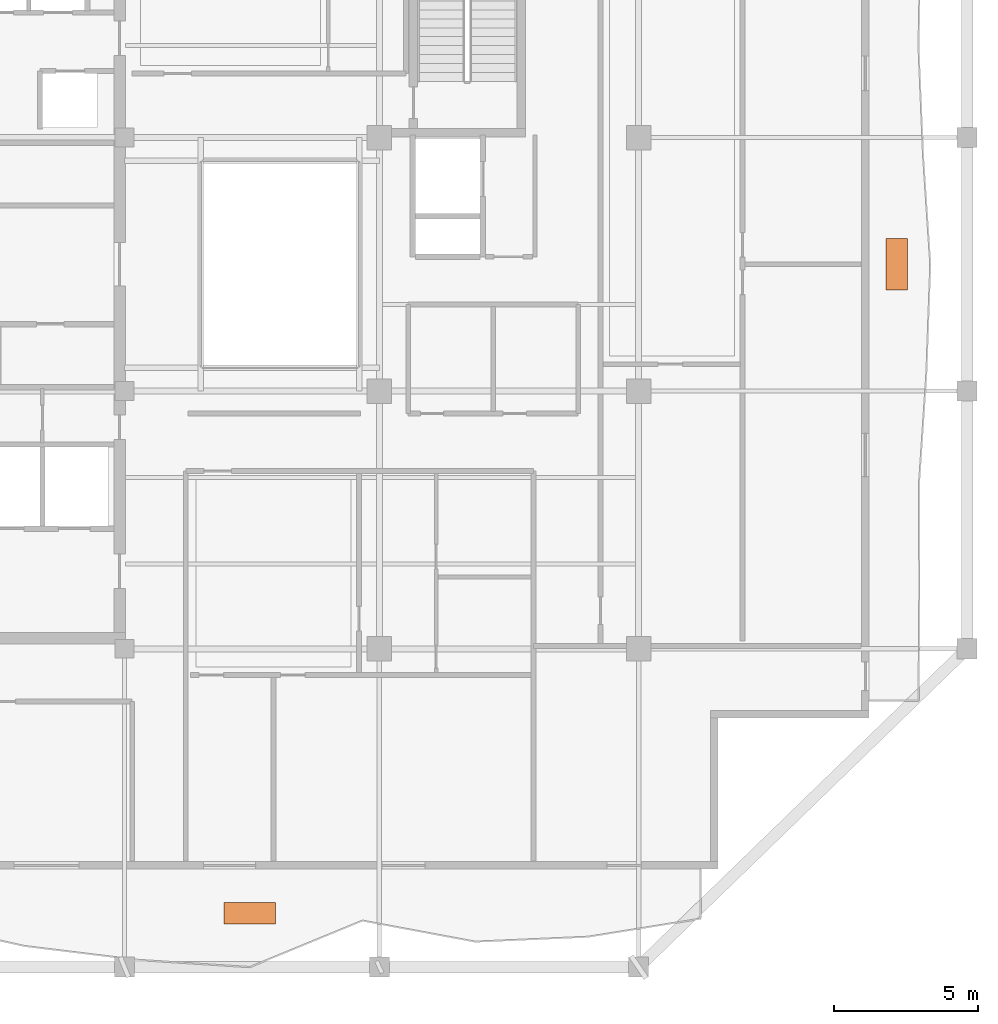
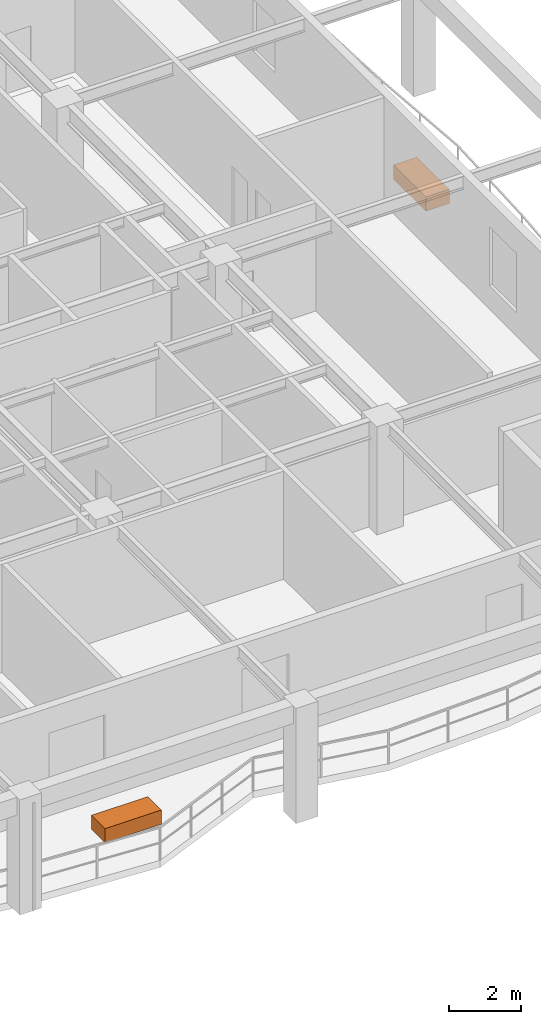
# One storey, part 11 of 11: 2 proxies.
"""IFC4 building model written with IfcOpenShell, lengths in metres."""

from ifc_helpers import new_model, si_unit, direction, frame, origin, origin_2d, place, context, subcontext, project, spatial, rectangle, extrude, material, type_object, element, save


model = new_model("IFC4")

# Units and contexts
model_context = context("Model", 3, precision=1e-05, world=origin(), true_north=direction((0.0, 1.0)))
body_context = subcontext(model_context, "Body", "Model", "MODEL_VIEW")
ifc_project = project(units=[si_unit("LENGTHUNIT", "METRE"), si_unit("AREAUNIT", "SQUARE_METRE"), si_unit("VOLUMEUNIT", "CUBIC_METRE"), si_unit("PLANEANGLEUNIT", "RADIAN"), si_unit("MASSUNIT", "GRAM", prefix="KILO")], contexts=[model_context])

# Site, building, storey
site_placement = place(None, origin())
site = spatial("IfcSite", under=ifc_project, at=site_placement, CompositionType="ELEMENT")
building_placement = place(site_placement, origin())
building = spatial("IfcBuilding", under=site, at=building_placement, Name="Kundavana Baori Tower", CompositionType="ELEMENT")
storey_placement = place(building_placement, frame((0.0, 0.0, 249.199951171875)))
storey = spatial("IfcBuildingStorey", under=building, at=storey_placement, Name="L61", CompositionType="ELEMENT", Elevation=249.199951171875)

# Proxies
ifc_material = material(Name="Red-Buff Dholpur Sandstone Cladding on Concrete C40/50", Category="masonry")
building_element_proxy_type = type_object("IfcBuildingElementProxyType", Name="PRX-PLANTER-1800", PredefinedType="USERDEFINED", material=ifc_material)
for number, where, z_axis, x_axis, name in (
    (1, (29.300048828125, 6.070068359375, 0.0), (0.0, 0.0, 1.0), (1.0, 0.0, 0.0), "L61 Dholpur Stone Structural Tree Planter S"),
    (2, (51.758056640625, 28.60009765625, 0.0), (0.0, 0.0, 1.0), (0.0, 1.0, 0.0), "L61 Dholpur Stone Structural Tree Planter E"),
):
    element("IfcBuildingElementProxy", number, at=place(storey_placement, frame(where, z_axis=z_axis, x_axis=x_axis)), inside=storey, type_object=building_element_proxy_type, Name=name, ObjectType="PLANTER", PredefinedType="USERDEFINED", context=body_context, shape_type="SweptSolid", body=[
        extrude(rectangle(XDim=1.800048828125, YDim=0.75, at=origin_2d()), origin(), (0.0, 0.0, 1.0), 0.47998046875),
    ])

save(model, "model.ifc")
